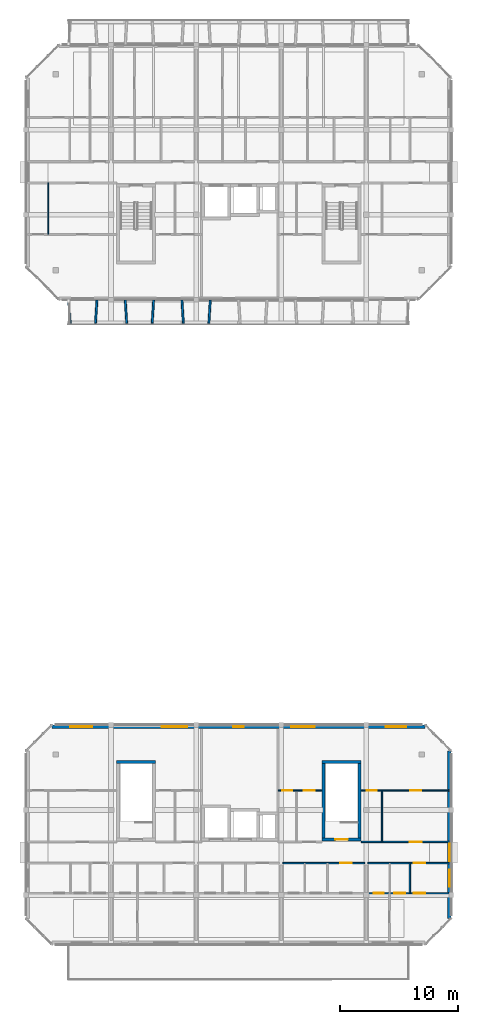
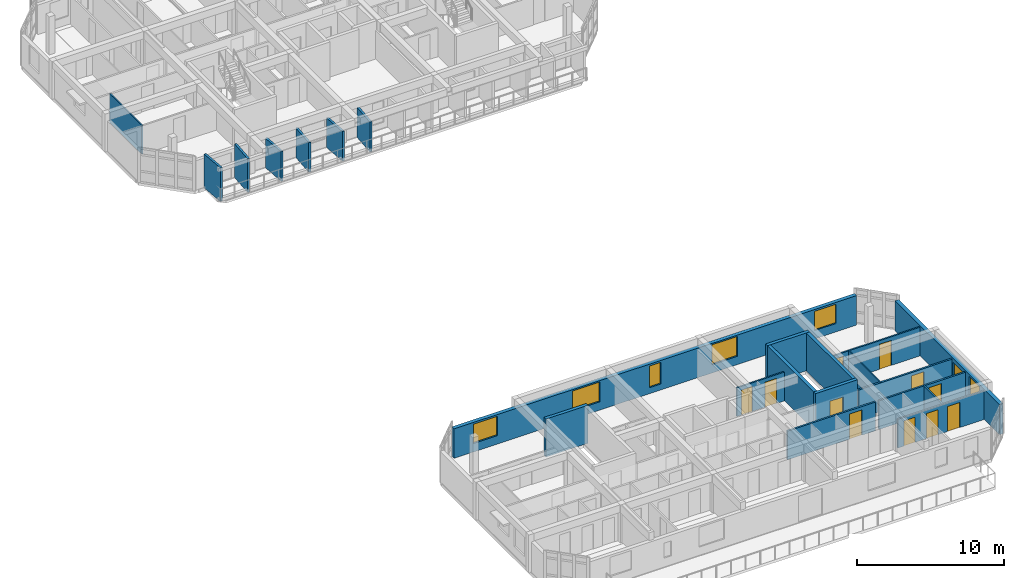
# One storey, part 10 of 19: 22 walls, 11 doors, 7 windows, 18 openings.
"""IFC4 building model written with IfcOpenShell, lengths in metres."""

from ifc_helpers import new_model, si_unit, direction, frame, frame_2d, origin, place, context, subcontext, project, spatial, rectangle, extrude, material, layer, layer_set, type_object, element, fill, save


model = new_model("IFC4")

# Units and contexts
model_context = context("Model", 3, precision=1e-05, world=origin(), true_north=direction((0.0, 1.0)))
body_context = subcontext(model_context, "Body", "Model", "MODEL_VIEW")
ifc_project = project(units=[si_unit("LENGTHUNIT", "METRE"), si_unit("AREAUNIT", "SQUARE_METRE"), si_unit("VOLUMEUNIT", "CUBIC_METRE"), si_unit("PLANEANGLEUNIT", "RADIAN"), si_unit("MASSUNIT", "GRAM", prefix="KILO")], contexts=[model_context])

# Site, building, storey
site_placement = place(None, origin())
site = spatial("IfcSite", under=ifc_project, at=site_placement, CompositionType="ELEMENT")
building_placement = place(site_placement, origin())
building = spatial("IfcBuilding", under=site, at=building_placement, Name="Ochrevale Crest", CompositionType="ELEMENT")
storey_placement = place(building_placement, frame((0.0, 0.0, 43.35009765625)))
storey = spatial("IfcBuildingStorey", under=building, at=storey_placement, Name="L13", CompositionType="ELEMENT", Elevation=43.35009765625)

# Wall, opening, door
ifc_material_1 = material(Name="Gypsum plasterboard", Category="gypsum")
ifc_layer_1 = layer(ifc_material_1, 0.139892578125)
ifc_layer_set_1 = layer_set([ifc_layer_1], Name="Gypsum plasterboard")
wall_type_1 = type_object("IfcWallType", Name="WL-COR-140", PredefinedType="PARTITIONING", material=ifc_layer_set_1)
wall_1_placement = place(storey_placement, frame((151.340087890625, 24.300048828125, 0.0), z_axis=(0.0, 0.0, 1.0), x_axis=(1.0, 0.0, 0.0)))
wall_1 = element("IfcWall", 1, at=wall_1_placement, inside=storey, type_object=wall_type_1, Name="Apartment C-L13-U4 corridor wall", PredefinedType="PARTITIONING", context=body_context, shape_type="SweptSolid", body=[
    extrude(rectangle(XDim=6.919921875, YDim=0.139892578125, at=frame_2d((3.4599609375, 0.0))), origin(), (0.0, 0.0, 1.0), 2.3798828125),
])
opening_1_placement = place(wall_1_placement, frame((4.8701171875, 0.0, 0.0)))
opening_1 = element("IfcOpeningElement", 2, at=opening_1_placement, cuts=wall_1, Name="Opening FD01", PredefinedType="OPENING", context=body_context, shape_type="SweptSolid", body=[
    extrude(rectangle(XDim=0.97998046875, YDim=2.10009765625, at=frame_2d((0.489990234375, 1.050048828125))), frame((0.0, 0.080078125, 0.0), z_axis=(0.0, -1.0, 0.0), x_axis=(1.0, 0.0, 0.0)), (0.0, 0.0, 1.0), 0.159912109375),
])
ifc_material_2 = material(Name="Solid-core FSC hardwood", Category="wood")
door_type_1 = type_object("IfcDoorType", Name="DR-APT-950", OperationType="NOTDEFINED", PredefinedType="DOOR", material=ifc_material_2)
door_1_placement = place(opening_1_placement, origin())
door_1 = element("IfcDoor", 3, at=door_1_placement, inside=storey, type_object=door_type_1, Name="Apartment C-L13-U4 entrance door", OperationType="SINGLE_SWING_LEFT", OverallHeight=2.10009765625, OverallWidth=0.97998046875, PredefinedType="DOOR", context=body_context, shape_type="SweptSolid", body=[
    extrude(rectangle(XDim=0.97998046875, YDim=2.10009765625, at=frame_2d((0.489990234375, 1.050048828125))), frame((0.0, 0.02490234375, 0.0), z_axis=(0.0, -1.0, 0.0), x_axis=(1.0, 0.0, 0.0)), (0.0, 0.0, 1.0), 0.050048828125),
])
fill(opening_1, door_1)

wall_2_placement = place(storey_placement, frame((158.5400390625, 24.300048828125, 0.0), z_axis=(0.0, 0.0, 1.0), x_axis=(1.0, 0.0, 0.0)))
wall_2 = element("IfcWall", 4, at=wall_2_placement, inside=storey, type_object=wall_type_1, Name="Apartment C-L13-U5 corridor wall", PredefinedType="PARTITIONING", context=body_context, shape_type="SweptSolid", body=[
    extrude(rectangle(XDim=6.919921875, YDim=0.139892578125, at=frame_2d((3.4599609375, 0.0))), origin(), (0.0, 0.0, 1.0), 2.3798828125),
])
opening_2_placement = place(wall_2_placement, frame((3.89501953125, 0.0, 0.0)))
opening_2 = element("IfcOpeningElement", 5, at=opening_2_placement, cuts=wall_2, Name="Opening FD01", PredefinedType="OPENING", context=body_context, shape_type="SweptSolid", body=[
    extrude(rectangle(XDim=0.97998046875, YDim=2.10009765625, at=frame_2d((0.489990234375, 1.050048828125))), frame((0.0, 0.080078125, 0.0), z_axis=(0.0, -1.0, 0.0), x_axis=(1.0, 0.0, 0.0)), (0.0, 0.0, 1.0), 0.159912109375),
])
door_2_placement = place(opening_2_placement, origin())
door_2 = element("IfcDoor", 6, at=door_2_placement, inside=storey, type_object=door_type_1, Name="Apartment C-L13-U5 entrance door", OperationType="SINGLE_SWING_LEFT", OverallHeight=2.10009765625, OverallWidth=0.97998046875, PredefinedType="DOOR", context=body_context, shape_type="SweptSolid", body=[
    extrude(rectangle(XDim=0.97998046875, YDim=2.10009765625, at=frame_2d((0.489990234375, 1.050048828125))), frame((0.0, 0.02490234375, 0.0), z_axis=(0.0, -1.0, 0.0), x_axis=(1.0, 0.0, 0.0)), (0.0, 0.0, 1.0), 0.050048828125),
])
fill(opening_2, door_2)

wall_3_placement = place(storey_placement, frame((157.989990234375, 26.10009765625, 0.0), z_axis=(0.0, 0.0, 1.0), x_axis=(1.0, 0.0, 0.0)))
wall_3 = element("IfcWall", 7, at=wall_3_placement, inside=storey, type_object=wall_type_1, Name="Suite C-L13-CE corridor wall", PredefinedType="PARTITIONING", context=body_context, shape_type="SweptSolid", body=[
    extrude(rectangle(XDim=7.469970703125, YDim=0.139892578125, at=frame_2d((3.73486328125, 0.0))), origin(), (0.0, 0.0, 1.0), 2.3798828125),
])
opening_3_placement = place(wall_3_placement, frame((4.1201171875, 0.0, 0.0)))
opening_3 = element("IfcOpeningElement", 8, at=opening_3_placement, cuts=wall_3, Name="Opening FD01", PredefinedType="OPENING", context=body_context, shape_type="SweptSolid", body=[
    extrude(rectangle(XDim=0.97998046875, YDim=2.10009765625, at=frame_2d((0.489990234375, 1.050048828125))), frame((0.0, 0.080078125, 0.0), z_axis=(0.0, -1.0, 0.0), x_axis=(1.0, 0.0, 0.0)), (0.0, 0.0, 1.0), 0.159912109375),
])
door_3_placement = place(opening_3_placement, origin())
door_3 = element("IfcDoor", 9, at=door_3_placement, inside=storey, type_object=door_type_1, Name="Suite C-L13-CE entrance door", OperationType="SINGLE_SWING_LEFT", OverallHeight=2.10009765625, OverallWidth=0.97998046875, PredefinedType="DOOR", context=body_context, shape_type="SweptSolid", body=[
    extrude(rectangle(XDim=0.97998046875, YDim=2.10009765625, at=frame_2d((0.489990234375, 1.050048828125))), frame((0.0, 0.02490234375, 0.0), z_axis=(0.0, -1.0, 0.0), x_axis=(1.0, 0.0, 0.0)), (0.0, 0.0, 1.0), 0.050048828125),
])
fill(opening_3, door_3)

# Wall
ifc_material_3 = material(Name="Precast concrete C50/60", Category="concrete")
ifc_layer_2 = layer(ifc_material_3, 0.2548828125)
ifc_layer_set_2 = layer_set([ifc_layer_2], Name="Precast concrete C50/60")
wall_type_2 = type_object("IfcWallType", Name="WL-CORE-255", PredefinedType="SHEAR", material=ifc_layer_set_2)
wall_4_placement = place(storey_placement, frame((137.2724609375, 32.85009765625, 0.0), z_axis=(0.0, 0.0, 1.0), x_axis=(1.0, 0.0, 0.0)))
element("IfcWall", 10, at=wall_4_placement, inside=storey, type_object=wall_type_2, Name="Block C L13 Stair 1 precast core shear wall N", PredefinedType="SHEAR", context=body_context, shape_type="SweptSolid", body=[
    extrude(rectangle(XDim=3.304931640625, YDim=0.2548828125, at=frame_2d((1.65234375, 0.0))), origin(), (0.0, 0.0, 1.0), 3.14990234375),
])

# Wall, opening, door
wall_5_placement = place(storey_placement, frame((154.672607421875, 26.300048828125, 0.0), z_axis=(0.0, 0.0, 1.0), x_axis=(1.0, 0.0, 0.0)))
wall_5 = element("IfcWall", 11, at=wall_5_placement, inside=storey, type_object=wall_type_2, Name="Block C L13 Stair 2 precast core shear wall S", PredefinedType="SHEAR", context=body_context, shape_type="SweptSolid", body=[
    extrude(rectangle(XDim=3.304931640625, YDim=0.2548828125, at=frame_2d((1.65234375, 0.0))), origin(), (0.0, 0.0, 1.0), 3.14990234375),
])
opening_4_placement = place(wall_5_placement, frame((1.12744140625, 0.0, 0.0)))
opening_4 = element("IfcOpeningElement", 12, at=opening_4_placement, cuts=wall_5, Name="Opening FD03", PredefinedType="OPENING", context=body_context, shape_type="SweptSolid", body=[
    extrude(rectangle(XDim=1.050048828125, YDim=2.1201171875, at=frame_2d((0.52490234375, 1.06005859375))), frame((0.0, 0.137451171875, 0.0), z_axis=(0.0, -1.0, 0.0), x_axis=(1.0, 0.0, 0.0)), (0.0, 0.0, 1.0), 0.27490234375),
])
door_type_2 = type_object("IfcDoorType", Name="DR-ST-1050", OperationType="NOTDEFINED", PredefinedType="DOOR", material=ifc_material_2)
door_4_placement = place(opening_4_placement, origin())
door_4 = element("IfcDoor", 13, at=door_4_placement, inside=storey, type_object=door_type_2, Name="Block C L13 fire stair 2 door", OperationType="SINGLE_SWING_LEFT", OverallHeight=2.1201171875, OverallWidth=1.050048828125, PredefinedType="DOOR", context=body_context, shape_type="SweptSolid", body=[
    extrude(rectangle(XDim=1.050048828125, YDim=2.1201171875, at=frame_2d((0.52490234375, 1.06005859375))), frame((0.0, 0.02490234375, 0.0), z_axis=(0.0, -1.0, 0.0), x_axis=(1.0, 0.0, 0.0)), (0.0, 0.0, 1.0), 0.050048828125),
])
fill(opening_4, door_4)

# Walls
wall_6_placement = place(storey_placement, frame((154.672607421875, 32.85009765625, 0.0), z_axis=(0.0, 0.0, 1.0), x_axis=(1.0, 0.0, 0.0)))
element("IfcWall", 14, at=wall_6_placement, inside=storey, type_object=wall_type_2, Name="Block C L13 Stair 2 precast core shear wall N", PredefinedType="SHEAR", context=body_context, shape_type="SweptSolid", body=[
    extrude(rectangle(XDim=3.304931640625, YDim=0.2548828125, at=frame_2d((1.65234375, 0.0))), origin(), (0.0, 0.0, 1.0), 3.14990234375),
])
for number, where, z_axis, x_axis, name in (
    (15, (154.800048828125, 26.427490234375, 0.0), (0.0, 0.0, 1.0), (0.0, 1.0, 0.0), "Block C L13 Stair 2 precast core shear wall W"),
    (16, (157.85009765625, 26.427490234375, 0.0), (0.0, 0.0, 1.0), (0.0, 1.0, 0.0), "Block C L13 Stair 2 precast core shear wall E"),
):
    element("IfcWall", number, at=place(storey_placement, frame(where, z_axis=z_axis, x_axis=x_axis)), inside=storey, type_object=wall_type_2, Name=name, PredefinedType="SHEAR", context=body_context, shape_type="SweptSolid", body=[
        extrude(rectangle(XDim=6.294921875, YDim=0.2548828125, at=frame_2d((3.1474609375, 0.0))), origin(), (0.0, 0.0, 1.0), 3.14990234375),
    ])

# Wall, openings, windows
ifc_material_4 = material(Name="Clay face brickwork", Category="masonry")
ifc_layer_3 = layer(ifc_material_4, 0.2900390625)
ifc_layer_set_3 = layer_set([ifc_layer_3], Name="Clay face brickwork")
wall_type_3 = type_object("IfcWallType", Name="WL-EXT-BRICK-290", PredefinedType="SOLIDWALL", material=ifc_layer_set_3)
wall_7_placement = place(storey_placement, frame((165.455078125, 19.60009765625, 0.0), z_axis=(0.0, 0.0, 1.0), x_axis=(0.0, 1.0, 0.0)))
wall_7 = element("IfcWall", 17, at=wall_7_placement, inside=storey, type_object=wall_type_3, Name="Block C L13 external facade wall E3", PredefinedType="SOLIDWALL", context=body_context, shape_type="SweptSolid", body=[
    extrude(rectangle(XDim=14.199951171875, YDim=0.2900390625, at=frame_2d((7.10009765625, 0.0))), origin(), (0.0, 0.0, 1.0), 2.510009765625),
])
opening_5_placement = place(wall_7_placement, frame((4.85009765625, 0.0, 1.050048828125)))
opening_5 = element("IfcOpeningElement", 18, at=opening_5_placement, cuts=wall_7, Name="Opening W18", PredefinedType="OPENING", context=body_context, shape_type="SweptSolid", body=[
    extrude(rectangle(XDim=1.5, YDim=1.14990234375, at=frame_2d((0.75, 0.574951171875))), frame((0.0, 0.155029296875, 0.0), z_axis=(0.0, -1.0, 0.0), x_axis=(1.0, 0.0, 0.0)), (0.0, 0.0, 1.0), 0.31005859375),
])
opening_6_placement = place(wall_7_placement, frame((2.705078125, 0.0, 0.75)))
opening_6 = element("IfcOpeningElement", 19, at=opening_6_placement, cuts=wall_7, Name="Opening W31", PredefinedType="OPENING", context=body_context, shape_type="SweptSolid", body=[
    extrude(rectangle(XDim=1.419921875, YDim=1.60009765625, at=frame_2d((0.7099609375, 0.800048828125))), frame((0.0, 0.155029296875, 0.0), z_axis=(0.0, -1.0, 0.0), x_axis=(1.0, 0.0, 0.0)), (0.0, 0.0, 1.0), 0.31005859375),
])
ifc_material_5 = material(Name="Anodised aluminium 6063-T5 and low-E double glazing", Category="aluminium")
window_type_1 = type_object("IfcWindowType", Name="WIN-W18", PartitioningType="SINGLE_PANEL", PredefinedType="WINDOW", material=ifc_material_5)
window_1_placement = place(opening_5_placement, origin())
window_1 = element("IfcWindow", 20, at=window_1_placement, inside=storey, type_object=window_type_1, Name="Block C L13 corridor end daylight window E", OverallHeight=1.14990234375, OverallWidth=1.5, PartitioningType="SINGLE_PANEL", PredefinedType="WINDOW", context=body_context, shape_type="SweptSolid", body=[
    extrude(rectangle(XDim=1.5, YDim=1.14990234375, at=frame_2d((0.75, 0.574951171875))), frame((0.0, 0.030029296875, 0.0), z_axis=(0.0, -1.0, 0.0), x_axis=(1.0, 0.0, 0.0)), (0.0, 0.0, 1.0), 0.06005859375),
])
fill(opening_5, window_1)
window_type_2 = type_object("IfcWindowType", Name="WIN-W31", PartitioningType="SINGLE_PANEL", PredefinedType="WINDOW", material=ifc_material_5)
window_2_placement = place(opening_6_placement, origin())
window_2 = element("IfcWindow", 21, at=window_2_placement, inside=storey, type_object=window_type_2, Name="Block C L13 side suite window E", OverallHeight=1.60009765625, OverallWidth=1.419921875, PartitioningType="SINGLE_PANEL", PredefinedType="WINDOW", context=body_context, shape_type="SweptSolid", body=[
    extrude(rectangle(XDim=1.419921875, YDim=1.60009765625, at=frame_2d((0.7099609375, 0.800048828125))), frame((0.0, 0.030029296875, 0.0), z_axis=(0.0, -1.0, 0.0), x_axis=(1.0, 0.0, 0.0)), (0.0, 0.0, 1.0), 0.06005859375),
])
fill(opening_6, window_2)

wall_8_placement = place(storey_placement, frame((163.39990234375, 35.85498046875, 0.0), z_axis=(0.0, 0.0, 1.0), x_axis=(-1.0, 0.0, 0.0)))
wall_8 = element("IfcWall", 22, at=wall_8_placement, inside=storey, type_object=wall_type_3, Name="Block C L13 external facade wall E5", PredefinedType="SOLIDWALL", context=body_context, shape_type="SweptSolid", body=[
    extrude(rectangle(XDim=31.599853515625, YDim=0.2900390625, at=frame_2d((15.7998046875, 0.0))), origin(), (0.0, 0.0, 1.0), 2.449951171875),
])
opening_7_placement = place(wall_8_placement, frame((15.35009765625, 0.0, 0.5)))
opening_7 = element("IfcOpeningElement", 23, at=opening_7_placement, cuts=wall_8, Name="Opening W17", PredefinedType="OPENING", context=body_context, shape_type="SweptSolid", body=[
    extrude(rectangle(XDim=0.89990234375, YDim=1.800048828125, at=frame_2d((0.449951171875, 0.89990234375))), frame((0.0, 0.155029296875, 0.0), z_axis=(0.0, -1.0, 0.0), x_axis=(1.0, 0.0, 0.0)), (0.0, 0.0, 1.0), 0.31005859375),
])
opening_8_placement = place(wall_8_placement, frame((1.60498046875, 0.0, 0.699951171875)))
opening_8 = element("IfcOpeningElement", 24, at=opening_8_placement, cuts=wall_8, Name="Opening W10", PredefinedType="OPENING", context=body_context, shape_type="SweptSolid", body=[
    extrude(rectangle(XDim=1.719970703125, YDim=1.60009765625, at=frame_2d((0.85986328125, 0.800048828125))), frame((0.0, 0.155029296875, 0.0), z_axis=(0.0, -1.0, 0.0), x_axis=(1.0, 0.0, 0.0)), (0.0, 0.0, 1.0), 0.31005859375),
])
opening_9_placement = place(wall_8_placement, frame((28.205078125, 0.0, 0.699951171875)))
opening_9 = element("IfcOpeningElement", 25, at=opening_9_placement, cuts=wall_8, Name="Opening W11", PredefinedType="OPENING", context=body_context, shape_type="SweptSolid", body=[
    extrude(rectangle(XDim=1.860107421875, YDim=1.60009765625, at=frame_2d((0.93017578125, 0.800048828125))), frame((0.0, 0.155029296875, 0.0), z_axis=(0.0, -1.0, 0.0), x_axis=(1.0, 0.0, 0.0)), (0.0, 0.0, 1.0), 0.31005859375),
])
opening_10_placement = place(wall_8_placement, frame((9.35498046875, 0.0, 0.68994140625)))
opening_10 = element("IfcOpeningElement", 26, at=opening_10_placement, cuts=wall_8, Name="Opening W12", PredefinedType="OPENING", context=body_context, shape_type="SweptSolid", body=[
    extrude(rectangle(XDim=2.0, YDim=1.64990234375, at=frame_2d((1.0, 0.824951171875))), frame((0.0, 0.155029296875, 0.0), z_axis=(0.0, -1.0, 0.0), x_axis=(1.0, 0.0, 0.0)), (0.0, 0.0, 1.0), 0.31005859375),
])
opening_11_placement = place(wall_8_placement, frame((20.14501953125, 0.0, 0.68994140625)))
opening_11 = element("IfcOpeningElement", 27, at=opening_11_placement, cuts=wall_8, Name="Opening W13", PredefinedType="OPENING", context=body_context, shape_type="SweptSolid", body=[
    extrude(rectangle(XDim=2.14990234375, YDim=1.64990234375, at=frame_2d((1.074951171875, 0.824951171875))), frame((0.0, 0.155029296875, 0.0), z_axis=(0.0, -1.0, 0.0), x_axis=(1.0, 0.0, 0.0)), (0.0, 0.0, 1.0), 0.31005859375),
])
window_type_3 = type_object("IfcWindowType", Name="WIN-W10", PartitioningType="SINGLE_PANEL", PredefinedType="WINDOW", material=ifc_material_5)
window_3_placement = place(opening_8_placement, origin())
window_3 = element("IfcWindow", 28, at=window_3_placement, inside=storey, type_object=window_type_3, Name="Block C L13 Suite C-L13-CE Master Bedroom window", OverallHeight=1.60009765625, OverallWidth=1.719970703125, PartitioningType="SINGLE_PANEL", PredefinedType="WINDOW", context=body_context, shape_type="SweptSolid", body=[
    extrude(rectangle(XDim=1.719970703125, YDim=1.60009765625, at=frame_2d((0.85986328125, 0.800048828125))), frame((0.0, 0.030029296875, 0.0), z_axis=(0.0, -1.0, 0.0), x_axis=(1.0, 0.0, 0.0)), (0.0, 0.0, 1.0), 0.06005859375),
])
fill(opening_8, window_3)
window_type_4 = type_object("IfcWindowType", Name="WIN-W11", PartitioningType="SINGLE_PANEL", PredefinedType="WINDOW", material=ifc_material_5)
window_4_placement = place(opening_9_placement, origin())
window_4 = element("IfcWindow", 29, at=window_4_placement, inside=storey, type_object=window_type_4, Name="Block C L13 Suite C-L13-CW Quiet Reading Room window", OverallHeight=1.60009765625, OverallWidth=1.860107421875, PartitioningType="SINGLE_PANEL", PredefinedType="WINDOW", context=body_context, shape_type="SweptSolid", body=[
    extrude(rectangle(XDim=1.860107421875, YDim=1.60009765625, at=frame_2d((0.93017578125, 0.800048828125))), frame((0.0, 0.030029296875, 0.0), z_axis=(0.0, -1.0, 0.0), x_axis=(1.0, 0.0, 0.0)), (0.0, 0.0, 1.0), 0.06005859375),
])
fill(opening_9, window_4)
window_type_5 = type_object("IfcWindowType", Name="WIN-W12", PartitioningType="SINGLE_PANEL", PredefinedType="WINDOW", material=ifc_material_5)
window_5_placement = place(opening_10_placement, origin())
window_5 = element("IfcWindow", 30, at=window_5_placement, inside=storey, type_object=window_type_5, Name="Block C L13 Suite C-L13-ME Garden Alcove Studio window", OverallHeight=1.64990234375, OverallWidth=2.0, PartitioningType="SINGLE_PANEL", PredefinedType="WINDOW", context=body_context, shape_type="SweptSolid", body=[
    extrude(rectangle(XDim=2.0, YDim=1.64990234375, at=frame_2d((1.0, 0.824951171875))), frame((0.0, 0.030029296875, 0.0), z_axis=(0.0, -1.0, 0.0), x_axis=(1.0, 0.0, 0.0)), (0.0, 0.0, 1.0), 0.06005859375),
])
fill(opening_10, window_5)
window_type_6 = type_object("IfcWindowType", Name="WIN-W13", PartitioningType="SINGLE_PANEL", PredefinedType="WINDOW", material=ifc_material_5)
window_6_placement = place(opening_11_placement, origin())
window_6 = element("IfcWindow", 31, at=window_6_placement, inside=storey, type_object=window_type_6, Name="Block C L13 Suite C-L13-MW Courtyard Studio Living window", OverallHeight=1.64990234375, OverallWidth=2.14990234375, PartitioningType="SINGLE_PANEL", PredefinedType="WINDOW", context=body_context, shape_type="SweptSolid", body=[
    extrude(rectangle(XDim=2.14990234375, YDim=1.64990234375, at=frame_2d((1.074951171875, 0.824951171875))), frame((0.0, 0.030029296875, 0.0), z_axis=(0.0, -1.0, 0.0), x_axis=(1.0, 0.0, 0.0)), (0.0, 0.0, 1.0), 0.06005859375),
])
fill(opening_11, window_6)
window_type_7 = type_object("IfcWindowType", Name="WIN-W17", PartitioningType="SINGLE_PANEL", PredefinedType="WINDOW", material=ifc_material_5)
window_7_placement = place(opening_7_placement, origin())
window_7 = element("IfcWindow", 32, at=window_7_placement, inside=storey, type_object=window_type_7, Name="Block C L13 core lancet window", OverallHeight=1.800048828125, OverallWidth=0.89990234375, PartitioningType="SINGLE_PANEL", PredefinedType="WINDOW", context=body_context, shape_type="SweptSolid", body=[
    extrude(rectangle(XDim=0.89990234375, YDim=1.800048828125, at=frame_2d((0.449951171875, 0.89990234375))), frame((0.0, 0.030029296875, 0.0), z_axis=(0.0, -1.0, 0.0), x_axis=(1.0, 0.0, 0.0)), (0.0, 0.0, 1.0), 0.06005859375),
])
fill(opening_7, window_7)

# Walls
ifc_material_6 = material(Name="Precast concrete C40/50", Category="concrete")
ifc_layer_4 = layer(ifc_material_6, 0.1650390625)
ifc_layer_set_4 = layer_set([ifc_layer_4], Name="Precast concrete C40/50")
wall_type_4 = type_object("IfcWallType", Name="WL-HC-CHEEK-165", PredefinedType="ELEMENTEDWALL", material=ifc_layer_set_4)
wall_9_placement = place(storey_placement, frame((133.199951171875, 71.97998046875, 0.0), z_axis=(0.0, 0.0, 1.0), x_axis=(0.071317687608, -0.997453651772, 0.0)))
element("IfcWall", 33, at=wall_9_placement, inside=storey, type_object=wall_type_4, Name="Block D L13 S precast honeycomb cheek 1", PredefinedType="ELEMENTEDWALL", context=body_context, shape_type="SweptSolid", body=[
    extrude(rectangle(XDim=1.96484375, YDim=0.1650390625, at=frame_2d((0.982421875, 0.0))), origin(), (0.0, 0.0, 1.0), 2.7998046875),
])
wall_10_placement = place(storey_placement, frame((135.60009765625, 71.97998046875, 0.0), z_axis=(0.0, 0.0, 1.0), x_axis=(-0.061170732449, -0.998127317276, 0.0)))
element("IfcWall", 34, at=wall_10_placement, inside=storey, type_object=wall_type_4, Name="Block D L13 S precast honeycomb cheek 2", PredefinedType="ELEMENTEDWALL", context=body_context, shape_type="SweptSolid", body=[
    extrude(rectangle(XDim=1.963623046875, YDim=0.1650390625, at=frame_2d((0.98193359375, 0.0))), origin(), (0.0, 0.0, 1.0), 2.7998046875),
])
for number, where, z_axis, x_axis, name in (
    (35, (138.0, 71.97998046875, 0.0), (0.0, 0.0, 1.0), (0.061170732449, -0.998127317276, 0.0), "Block D L13 S precast honeycomb cheek 3"),
    (36, (140.39990234375, 71.97998046875, 0.0), (0.0, 0.0, 1.0), (-0.061046865508, -0.998134900808, 0.0), "Block D L13 S precast honeycomb cheek 4"),
    (37, (142.800048828125, 71.97998046875, 0.0), (0.0, 0.0, 1.0), (0.061046865508, -0.998134900808, 0.0), "Block D L13 S precast honeycomb cheek 5"),
):
    element("IfcWall", number, at=place(storey_placement, frame(where, z_axis=z_axis, x_axis=x_axis)), inside=storey, type_object=wall_type_4, Name=name, PredefinedType="ELEMENTEDWALL", context=body_context, shape_type="SweptSolid", body=[
        extrude(rectangle(XDim=1.963623046875, YDim=0.1650390625, at=frame_2d((0.98193359375, 0.0))), origin(), (0.0, 0.0, 1.0), 2.449951171875),
    ])
wall_11_placement = place(storey_placement, frame((145.199951171875, 71.97998046875, 0.0), z_axis=(0.0, 0.0, 1.0), x_axis=(-0.061046865508, -0.998134900808, 0.0)))
element("IfcWall", 38, at=wall_11_placement, inside=storey, type_object=wall_type_4, Name="Block D L13 S precast honeycomb cheek 6", PredefinedType="ELEMENTEDWALL", context=body_context, shape_type="SweptSolid", body=[
    extrude(rectangle(XDim=1.963623046875, YDim=0.1650390625, at=frame_2d((0.98193359375, 0.0))), origin(), (0.0, 0.0, 1.0), 2.47998046875),
])
ifc_layer_5 = layer(ifc_material_1, 0.1201171875)
ifc_layer_set_5 = layer_set([ifc_layer_5], Name="Gypsum plasterboard")
wall_type_5 = type_object("IfcWallType", Name="WL-PART-120", PredefinedType="PARTITIONING", material=ifc_layer_set_5)
wall_12_placement = place(storey_placement, frame((162.10009765625, 21.75, 0.0), z_axis=(0.0, 0.0, 1.0), x_axis=(0.0, 1.0, 0.0)))
element("IfcWall", 39, at=wall_12_placement, inside=storey, type_object=wall_type_5, Name="Apartment C-L13-U5 kitchen-foyer wall", PredefinedType="PARTITIONING", context=body_context, shape_type="SweptSolid", body=[
    extrude(rectangle(XDim=2.550048828125, YDim=0.1201171875, at=frame_2d((1.27490234375, 0.0))), origin(), (0.0, 0.0, 1.0), 2.3798828125),
])

# Wall, openings, doors
wall_13_placement = place(storey_placement, frame((158.5400390625, 21.75, 0.0), z_axis=(0.0, 0.0, 1.0), x_axis=(1.0, 0.0, 0.0)))
wall_13 = element("IfcWall", 40, at=wall_13_placement, inside=storey, type_object=wall_type_5, Name="Apartment C-L13-U5 central partition", PredefinedType="PARTITIONING", context=body_context, shape_type="SweptSolid", body=[
    extrude(rectangle(XDim=6.919921875, YDim=0.1201171875, at=frame_2d((3.4599609375, 0.0))), origin(), (0.0, 0.0, 1.0), 2.3798828125),
])
opening_12_placement = place(wall_13_placement, frame((1.35009765625, 0.0, 0.0), z_axis=(0.0, 0.0, 1.0), x_axis=(-1.0, 0.0, 0.0)))
opening_12 = element("IfcOpeningElement", 41, at=opening_12_placement, cuts=wall_13, Name="Opening ID01", PredefinedType="OPENING", context=body_context, shape_type="SweptSolid", body=[
    extrude(rectangle(XDim=0.85009765625, YDim=2.080078125, at=frame_2d((0.425048828125, 1.0400390625))), frame((0.0, 0.070068359375, 0.0), z_axis=(0.0, -1.0, 0.0), x_axis=(1.0, 0.0, 0.0)), (0.0, 0.0, 1.0), 0.14013671875),
])
opening_13_placement = place(wall_13_placement, frame((2.2548828125, 0.0, 0.0)))
opening_13 = element("IfcOpeningElement", 42, at=opening_13_placement, cuts=wall_13, Name="Opening ID02", PredefinedType="OPENING", context=body_context, shape_type="SweptSolid", body=[
    extrude(rectangle(XDim=0.89990234375, YDim=2.080078125, at=frame_2d((0.449951171875, 1.0400390625))), frame((0.0, 0.070068359375, 0.0), z_axis=(0.0, -1.0, 0.0), x_axis=(1.0, 0.0, 0.0)), (0.0, 0.0, 1.0), 0.14013671875),
])
opening_14_placement = place(wall_13_placement, frame((4.85986328125, 0.0, 0.0), z_axis=(0.0, 0.0, 1.0), x_axis=(-1.0, 0.0, 0.0)))
opening_14 = element("IfcOpeningElement", 43, at=opening_14_placement, cuts=wall_13, Name="Opening ID06", PredefinedType="OPENING", context=body_context, shape_type="SweptSolid", body=[
    extrude(rectangle(XDim=0.949951171875, YDim=2.080078125, at=frame_2d((0.47509765625, 1.0400390625))), frame((0.0, 0.070068359375, 0.0), z_axis=(0.0, -1.0, 0.0), x_axis=(1.0, 0.0, 0.0)), (0.0, 0.0, 1.0), 0.14013671875),
])
door_type_3 = type_object("IfcDoorType", Name="DR-INT-900", OperationType="NOTDEFINED", PredefinedType="DOOR", material=ifc_material_2)
door_5_placement = place(opening_13_placement, origin())
door_5 = element("IfcDoor", 44, at=door_5_placement, inside=storey, type_object=door_type_3, Name="Apartment C-L13-U5 Kitchen door", OperationType="SINGLE_SWING_LEFT", OverallHeight=2.080078125, OverallWidth=0.89990234375, PredefinedType="DOOR", context=body_context, shape_type="SweptSolid", body=[
    extrude(rectangle(XDim=0.89990234375, YDim=2.080078125, at=frame_2d((0.449951171875, 1.0400390625))), frame((0.0, 0.02490234375, 0.0), z_axis=(0.0, -1.0, 0.0), x_axis=(1.0, 0.0, 0.0)), (0.0, 0.0, 1.0), 0.050048828125),
])
fill(opening_13, door_5)
door_type_4 = type_object("IfcDoorType", Name="DR-INT-950", OperationType="NOTDEFINED", PredefinedType="DOOR", material=ifc_material_2)
door_6_placement = place(opening_14_placement, origin())
door_6 = element("IfcDoor", 45, at=door_6_placement, inside=storey, type_object=door_type_4, Name="Apartment C-L13-U5 Living Foyer door", OperationType="SINGLE_SWING_RIGHT", OverallHeight=2.080078125, OverallWidth=0.949951171875, PredefinedType="DOOR", context=body_context, shape_type="SweptSolid", body=[
    extrude(rectangle(XDim=0.949951171875, YDim=2.080078125, at=frame_2d((0.47509765625, 1.0400390625))), frame((0.0, 0.02490234375, 0.0), z_axis=(0.0, -1.0, 0.0), x_axis=(1.0, 0.0, 0.0)), (0.0, 0.0, 1.0), 0.050048828125),
])
fill(opening_14, door_6)
door_type_5 = type_object("IfcDoorType", Name="DR-WC-850", OperationType="NOTDEFINED", PredefinedType="DOOR", material=ifc_material_2)
door_7_placement = place(opening_12_placement, origin())
door_7 = element("IfcDoor", 46, at=door_7_placement, inside=storey, type_object=door_type_5, Name="Apartment C-L13-U5 Bathroom door", OperationType="SINGLE_SWING_RIGHT", OverallHeight=2.080078125, OverallWidth=0.85009765625, PredefinedType="DOOR", context=body_context, shape_type="SweptSolid", body=[
    extrude(rectangle(XDim=0.85009765625, YDim=2.080078125, at=frame_2d((0.425048828125, 1.0400390625))), frame((0.0, 0.02490234375, 0.0), z_axis=(0.0, -1.0, 0.0), x_axis=(1.0, 0.0, 0.0)), (0.0, 0.0, 1.0), 0.050048828125),
])
fill(opening_12, door_7)

wall_14_placement = place(storey_placement, frame((150.93994140625, 30.449951171875, 0.0), z_axis=(0.0, 0.0, 1.0), x_axis=(1.0, 0.0, 0.0)))
wall_14 = element("IfcWall", 47, at=wall_14_placement, inside=storey, type_object=wall_type_5, Name="Suite C-L13-ME internal wall", PredefinedType="PARTITIONING", context=body_context, shape_type="SweptSolid", body=[
    extrude(rectangle(XDim=3.719970703125, YDim=0.1201171875, at=frame_2d((1.85986328125, 0.0))), origin(), (0.0, 0.0, 1.0), 2.3798828125),
])
opening_15_placement = place(wall_14_placement, frame((0.356201171875, 0.0, 0.0)))
opening_15 = element("IfcOpeningElement", 48, at=opening_15_placement, cuts=wall_14, Name="Opening ID01", PredefinedType="OPENING", context=body_context, shape_type="SweptSolid", body=[
    extrude(rectangle(XDim=0.85009765625, YDim=2.080078125, at=frame_2d((0.425048828125, 1.0400390625))), frame((0.0, 0.070068359375, 0.0), z_axis=(0.0, -1.0, 0.0), x_axis=(1.0, 0.0, 0.0)), (0.0, 0.0, 1.0), 0.14013671875),
])
opening_16_placement = place(wall_14_placement, frame((3.10107421875, 0.0, 0.0), z_axis=(0.0, 0.0, 1.0), x_axis=(-1.0, 0.0, 0.0)))
opening_16 = element("IfcOpeningElement", 49, at=opening_16_placement, cuts=wall_14, Name="Opening ID04", PredefinedType="OPENING", context=body_context, shape_type="SweptSolid", body=[
    extrude(rectangle(XDim=0.919921875, YDim=2.080078125, at=frame_2d((0.4599609375, 1.0400390625))), frame((0.0, 0.070068359375, 0.0), z_axis=(0.0, -1.0, 0.0), x_axis=(1.0, 0.0, 0.0)), (0.0, 0.0, 1.0), 0.14013671875),
])
door_type_6 = type_object("IfcDoorType", Name="DR-INT-920", OperationType="NOTDEFINED", PredefinedType="DOOR", material=ifc_material_2)
door_8_placement = place(opening_16_placement, origin())
door_8 = element("IfcDoor", 50, at=door_8_placement, inside=storey, type_object=door_type_6, Name="Suite C-L13-ME Garden Alcove Studio door", OperationType="SINGLE_SWING_RIGHT", OverallHeight=2.080078125, OverallWidth=0.919921875, PredefinedType="DOOR", context=body_context, shape_type="SweptSolid", body=[
    extrude(rectangle(XDim=0.919921875, YDim=2.080078125, at=frame_2d((0.4599609375, 1.0400390625))), frame((0.0, 0.02490234375, 0.0), z_axis=(0.0, -1.0, 0.0), x_axis=(1.0, 0.0, 0.0)), (0.0, 0.0, 1.0), 0.050048828125),
])
fill(opening_16, door_8)
door_9_placement = place(opening_15_placement, origin())
door_9 = element("IfcDoor", 51, at=door_9_placement, inside=storey, type_object=door_type_5, Name="Suite C-L13-ME Bathroom door", OperationType="SINGLE_SWING_LEFT", OverallHeight=2.080078125, OverallWidth=0.85009765625, PredefinedType="DOOR", context=body_context, shape_type="SweptSolid", body=[
    extrude(rectangle(XDim=0.85009765625, YDim=2.080078125, at=frame_2d((0.425048828125, 1.0400390625))), frame((0.0, 0.02490234375, 0.0), z_axis=(0.0, -1.0, 0.0), x_axis=(1.0, 0.0, 0.0)), (0.0, 0.0, 1.0), 0.050048828125),
])
fill(opening_15, door_9)

wall_15_placement = place(storey_placement, frame((157.989990234375, 30.449951171875, 0.0), z_axis=(0.0, 0.0, 1.0), x_axis=(1.0, 0.0, 0.0)))
wall_15 = element("IfcWall", 52, at=wall_15_placement, inside=storey, type_object=wall_type_5, Name="Suite C-L13-CE internal wall", PredefinedType="PARTITIONING", context=body_context, shape_type="SweptSolid", body=[
    extrude(rectangle(XDim=7.469970703125, YDim=0.1201171875, at=frame_2d((3.73486328125, 0.0))), origin(), (0.0, 0.0, 1.0), 2.3798828125),
])
opening_17_placement = place(wall_15_placement, frame((1.300048828125, 0.0, 0.0), z_axis=(0.0, 0.0, 1.0), x_axis=(-1.0, 0.0, 0.0)))
opening_17 = element("IfcOpeningElement", 53, at=opening_17_placement, cuts=wall_15, Name="Opening ID01", PredefinedType="OPENING", context=body_context, shape_type="SweptSolid", body=[
    extrude(rectangle(XDim=0.85009765625, YDim=2.080078125, at=frame_2d((0.425048828125, 1.0400390625))), frame((0.0, 0.070068359375, 0.0), z_axis=(0.0, -1.0, 0.0), x_axis=(1.0, 0.0, 0.0)), (0.0, 0.0, 1.0), 0.14013671875),
])
opening_18_placement = place(wall_15_placement, frame((4.14990234375, 0.0, 0.0)))
opening_18 = element("IfcOpeningElement", 54, at=opening_18_placement, cuts=wall_15, Name="Opening ID04", PredefinedType="OPENING", context=body_context, shape_type="SweptSolid", body=[
    extrude(rectangle(XDim=0.919921875, YDim=2.080078125, at=frame_2d((0.4599609375, 1.0400390625))), frame((0.0, 0.070068359375, 0.0), z_axis=(0.0, -1.0, 0.0), x_axis=(1.0, 0.0, 0.0)), (0.0, 0.0, 1.0), 0.14013671875),
])
door_10_placement = place(opening_18_placement, origin())
door_10 = element("IfcDoor", 55, at=door_10_placement, inside=storey, type_object=door_type_6, Name="Suite C-L13-CE Master Bedroom door", OperationType="SINGLE_SWING_LEFT", OverallHeight=2.080078125, OverallWidth=0.919921875, PredefinedType="DOOR", context=body_context, shape_type="SweptSolid", body=[
    extrude(rectangle(XDim=0.919921875, YDim=2.080078125, at=frame_2d((0.4599609375, 1.0400390625))), frame((0.0, 0.02490234375, 0.0), z_axis=(0.0, -1.0, 0.0), x_axis=(1.0, 0.0, 0.0)), (0.0, 0.0, 1.0), 0.050048828125),
])
fill(opening_18, door_10)
door_11_placement = place(opening_17_placement, origin())
door_11 = element("IfcDoor", 56, at=door_11_placement, inside=storey, type_object=door_type_5, Name="Suite C-L13-CE Bathroom door", OperationType="SINGLE_SWING_RIGHT", OverallHeight=2.080078125, OverallWidth=0.85009765625, PredefinedType="DOOR", context=body_context, shape_type="SweptSolid", body=[
    extrude(rectangle(XDim=0.85009765625, YDim=2.080078125, at=frame_2d((0.425048828125, 1.0400390625))), frame((0.0, 0.02490234375, 0.0), z_axis=(0.0, -1.0, 0.0), x_axis=(1.0, 0.0, 0.0)), (0.0, 0.0, 1.0), 0.050048828125),
])
fill(opening_17, door_11)

# Walls
ifc_layer_6 = layer(ifc_material_1, 0.10009765625)
ifc_layer_set_6 = layer_set([ifc_layer_6], Name="Gypsum plasterboard")
wall_type_6 = type_object("IfcWallType", Name="WL-WET-100", PredefinedType="PARTITIONING", material=ifc_layer_set_6)
for number, where, z_axis, x_axis, name in (
    (57, (159.739990234375, 26.10009765625, 0.0), (0.0, 0.0, 1.0), (0.0, 1.0, 0.0), "Suite C-L13-CE bathroom divider"),
    (58, (131.489990234375, 77.550048828125, 0.0), (0.0, 0.0, 1.0), (0.0, 1.0, 0.0), "Suite D-L13-CW bathroom divider"),
):
    element("IfcWall", number, at=place(storey_placement, frame(where, z_axis=z_axis, x_axis=x_axis)), inside=storey, type_object=wall_type_6, Name=name, PredefinedType="PARTITIONING", context=body_context, shape_type="SweptSolid", body=[
        extrude(rectangle(XDim=4.349853515625, YDim=0.10009765625, at=frame_2d((2.1748046875, 0.0))), origin(), (0.0, 0.0, 1.0), 2.3798828125),
    ])

save(model, "model.ifc")
